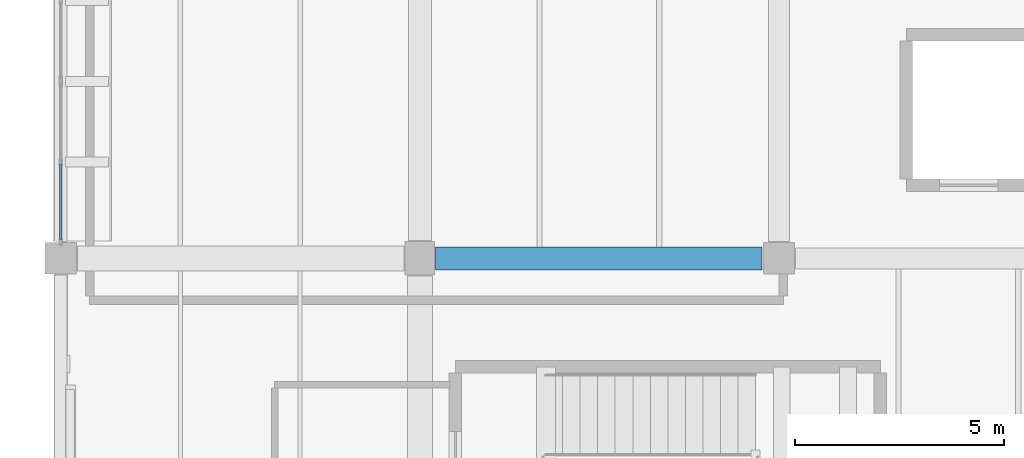
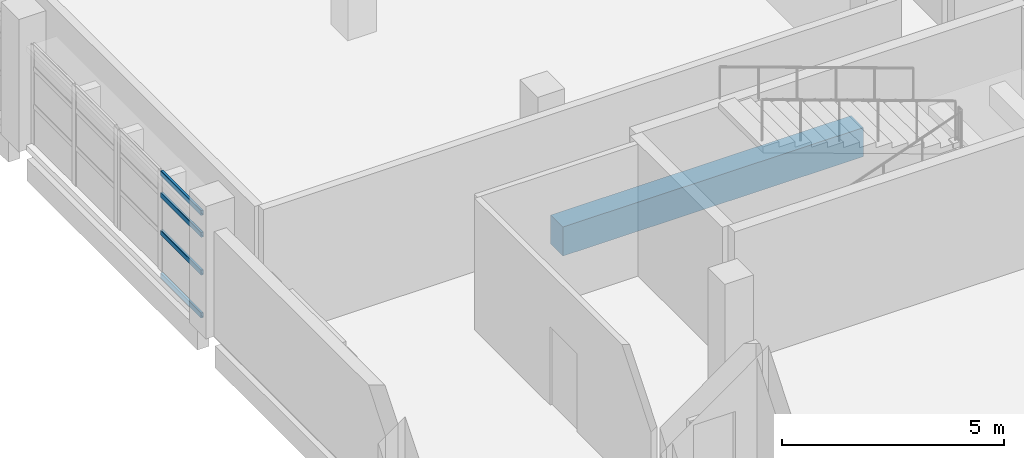
# One storey, part 17 of 80: 4 members, 1 beam, 1 element without a shape of its own.
"""IFC4 building model written with IfcOpenShell, lengths in metres."""

from ifc_helpers import new_model, si_unit, direction, frame, origin, origin_2d, place, context, subcontext, project, spatial, rectangle, hollow_rectangle, extrude, material, material_profile, profile_set, type_object, element, aggregate, save


model = new_model("IFC4")

# Units and contexts
model_context = context("Model", 3, precision=1e-05, world=origin(), true_north=direction((0.0, 1.0)))
body_context = subcontext(model_context, "Body", "Model", "MODEL_VIEW")
ifc_project = project(units=[si_unit("LENGTHUNIT", "METRE"), si_unit("AREAUNIT", "SQUARE_METRE"), si_unit("VOLUMEUNIT", "CUBIC_METRE"), si_unit("PLANEANGLEUNIT", "RADIAN"), si_unit("MASSUNIT", "GRAM", prefix="KILO")], contexts=[model_context])

# Site, building, storey
site_placement = place(None, origin())
site = spatial("IfcSite", under=ifc_project, at=site_placement, CompositionType="ELEMENT")
building_placement = place(site_placement, origin())
building = spatial("IfcBuilding", under=site, at=building_placement, Name="Varnakota Cinema and Media Centre", CompositionType="ELEMENT")
storey_placement = place(building_placement, frame((0.0, 0.0, 4.5)))
storey = spatial("IfcBuildingStorey", under=building, at=storey_placement, Name="L01", CompositionType="ELEMENT", Elevation=4.5)

# Beam
ifc_material_1 = material(Name="Concrete M35", Category="concrete")
ifc_material_profile_1 = material_profile(ifc_material_1, rectangle(XDim=0.550048828125, YDim=0.800048828125, at=origin_2d()), Name="RCB 550x800")
ifc_profile_set_1 = profile_set([ifc_material_profile_1], Name="Concrete M35")
beam_type = type_object("IfcBeamType", Name="BM-RC-550x800", PredefinedType="BEAM", material=ifc_profile_set_1)
beam_placement = place(storey_placement, frame((8.97509765625, 52.5, -0.64990234375), z_axis=(1.0, 0.0, 0.0), x_axis=(0.0, 1.0, 0.0)))
element("IfcBeam", 1, at=beam_placement, inside=storey, type_object=beam_type, Name="L01 girder B-C/7", PredefinedType="BEAM", context=body_context, shape_type="SweptSolid", body=[
    extrude(rectangle(XDim=0.550048828125, YDim=0.800048828125, at=origin_2d()), origin(), (0.0, 0.0, 1.0), 7.824951171875),
])

# Curtain wall, members
ifc_material_2 = material(Name="Thermally broken anodised aluminium AW-6063", Category="aluminium")
curtain_wall_type = type_object("IfcCurtainWallType", Name="CW-STD-384x288", PredefinedType="USERDEFINED", material=ifc_material_2)
curtain_wall_placement = place(storey_placement, origin())
curtain_wall = element("IfcCurtainWall", 2, at=curtain_wall_placement, inside=storey, type_object=curtain_wall_type, Name="L01 curtain wall CW-L01-V5-W-03-2", ObjectType="UNITISED CURTAIN WALL", PredefinedType="USERDEFINED")
ifc_material_3 = material(Name="Thermally broken anodised aluminium AW-6063", Category="aluminium")
ifc_material_profile_2 = material_profile(ifc_material_3, hollow_rectangle(XDim=0.06494140625, YDim=0.139892578125, WallThickness=0.00390625, InnerFilletRadius=0.00390625, OuterFilletRadius=0.008056640625, at=origin_2d()), Name="AL-TRANSOM 140x65x4")
ifc_profile_set_2 = profile_set([ifc_material_profile_2], Name="Thermally broken anodised aluminium AW-6063")
member_type = type_object("IfcMemberType", Name="CWT-AL-140", PredefinedType="USERDEFINED", material=ifc_profile_set_2)
member_1_placement = place(storey_placement, frame((0.0, 54.763671875, 0.032470703125), z_axis=(0.0, -1.0, 0.0), x_axis=(1.0, 0.0, 0.0)))
member_1 = element("IfcMember", 3, at=member_1_placement, type_object=member_type, Name="CW26 transom 2.1", ObjectType="TRANSOM", PredefinedType="USERDEFINED", context=body_context, shape_type="SweptSolid", body=[
    extrude(hollow_rectangle(XDim=0.06494140625, YDim=0.139892578125, WallThickness=0.00390625, InnerFilletRadius=0.00390625, OuterFilletRadius=0.008056640625, at=origin_2d()), origin(), (0.0, 0.0, 1.0), 1.82373046875),
])
member_2_placement = place(storey_placement, frame((0.0, 54.763671875, 1.211669921875), z_axis=(0.0, -1.0, 0.0), x_axis=(1.0, 0.0, 0.0)))
member_2 = element("IfcMember", 4, at=member_2_placement, type_object=member_type, Name="CW26 transom 2.2", ObjectType="TRANSOM", PredefinedType="USERDEFINED", context=body_context, shape_type="SweptSolid", body=[
    extrude(hollow_rectangle(XDim=0.06494140625, YDim=0.139892578125, WallThickness=0.00390625, InnerFilletRadius=0.00390625, OuterFilletRadius=0.008056640625, at=origin_2d()), origin(), (0.0, 0.0, 1.0), 1.82373046875),
])
member_3_placement = place(storey_placement, frame((0.0, 54.763671875, 2.250244140625), z_axis=(0.0, -1.0, 0.0), x_axis=(1.0, 0.0, 0.0)))
member_3 = element("IfcMember", 5, at=member_3_placement, type_object=member_type, Name="CW26 transom 2.3", ObjectType="TRANSOM", PredefinedType="USERDEFINED", context=body_context, shape_type="SweptSolid", body=[
    extrude(hollow_rectangle(XDim=0.06494140625, YDim=0.139892578125, WallThickness=0.00390625, InnerFilletRadius=0.00390625, OuterFilletRadius=0.008056640625, at=origin_2d()), origin(), (0.0, 0.0, 1.0), 1.82373046875),
])
member_4_placement = place(storey_placement, frame((0.0, 54.763671875, 2.8525390625), z_axis=(0.0, -1.0, 0.0), x_axis=(1.0, 0.0, 0.0)))
member_4 = element("IfcMember", 6, at=member_4_placement, type_object=member_type, Name="CW26 transom 2.4", ObjectType="TRANSOM", PredefinedType="USERDEFINED", context=body_context, shape_type="SweptSolid", body=[
    extrude(hollow_rectangle(XDim=0.06494140625, YDim=0.139892578125, WallThickness=0.00390625, InnerFilletRadius=0.00390625, OuterFilletRadius=0.008056640625, at=origin_2d()), origin(), (0.0, 0.0, 1.0), 1.82373046875),
])
aggregate(curtain_wall, [member_1, member_2, member_3, member_4])

save(model, "model.ifc")
